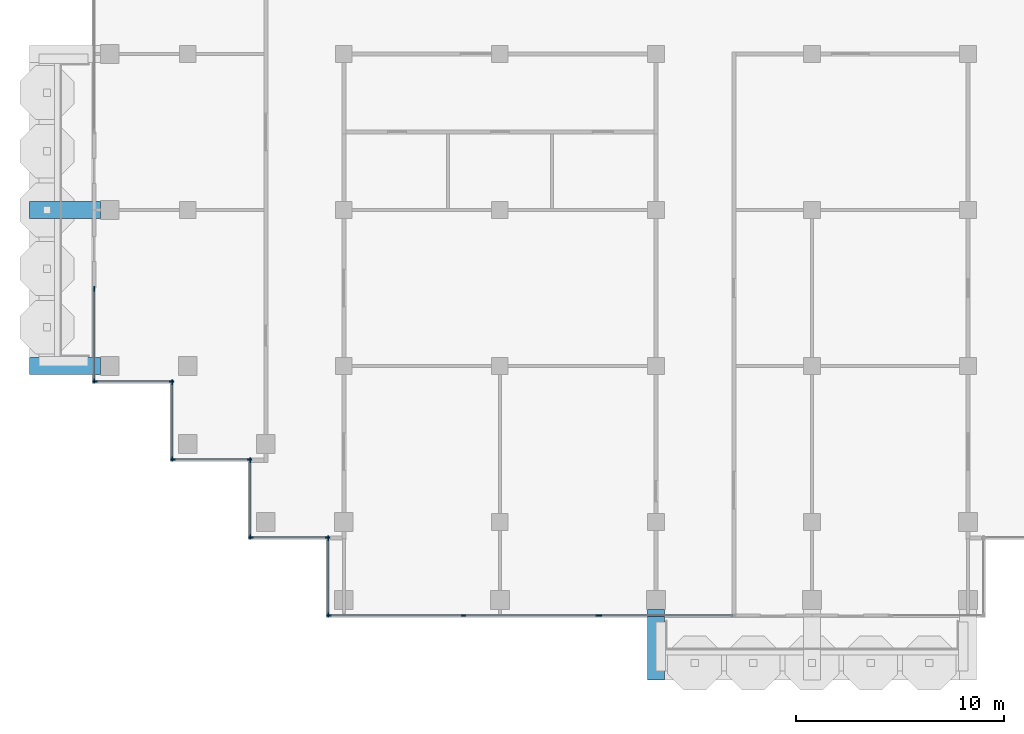
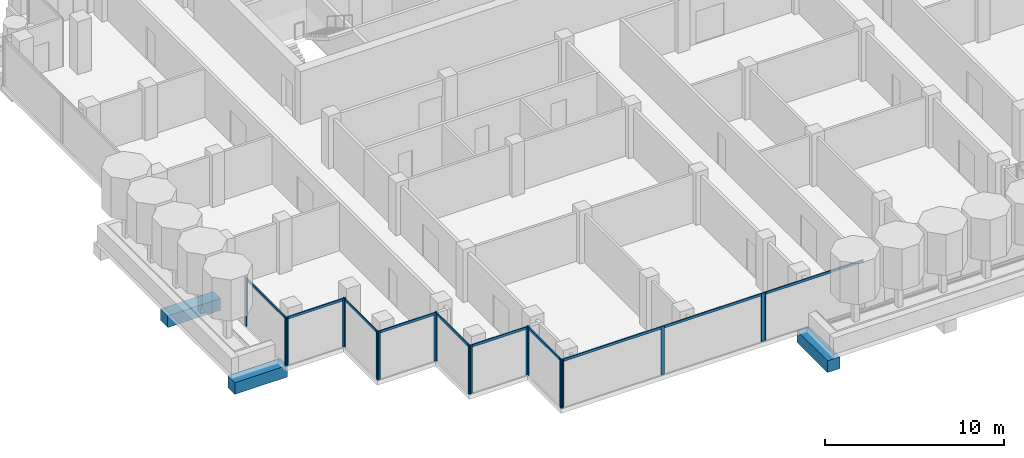
# One storey, part 2 of 18: 28 members, 3 beams, 9 elements without a shape of their own.
"""IFC4 building model written with IfcOpenShell, lengths in metres."""

import ifcopenshell
import ifcopenshell.guid

model = None  # the IFC model being written
_history = None  # IfcOwnerHistory: only IFC2X3 demands one
_inside = {}  # id of a spatial element -> (the spatial element, [elements in it])
_under = {}  # id of a project, library or spatial element -> (it, [spatial elements below it])
_declared = {}  # id of a project -> (the project, [libraries it declares])
_typed = {}  # id of a type object -> (the type object, [elements of that type])
_made_of = {}  # id of a material, layer set ... -> (it, [elements and type objects made of it])


def new_model(schema):
    """Start an empty IFC model of exactly this schema.

    Asked for "IFC4X3", IfcOpenShell would pick the latest addendum, in which some entities
    have other attributes; the version numbers below select the first issue.
    IFC2X3 requires an IfcOwnerHistory on every rooted entity: one is made here for all.
    """
    global model, _history
    if schema == "IFC4X3":
        model = ifcopenshell.file(schema_version=(4, 3, 0, 0))
    else:
        model = ifcopenshell.file(schema=schema)
    _inside.clear()
    _under.clear()
    _declared.clear()
    _typed.clear()
    _made_of.clear()
    _history = None
    if model.schema == "IFC2X3":
        org = make("IfcOrganization", Name="unknown")
        user = make(
            "IfcPersonAndOrganization",
            ThePerson=make("IfcPerson", FamilyName="unknown"),
            TheOrganization=org,
        )
        app = make(
            "IfcApplication",
            ApplicationDeveloper=org,
            Version="unknown",
            ApplicationFullName="unknown",
            ApplicationIdentifier="unknown",
        )
        _history = make(
            "IfcOwnerHistory",
            OwningUser=user,
            OwningApplication=app,
            ChangeAction="ADDED",
            CreationDate=0,
        )
    return model


def make(cls, **values):
    """One entity of the class cls with the attributes given. An attribute that is None is left unset."""
    return model.create_entity(
        cls, **{name: value for name, value in values.items() if value is not None}
    )


def rooted(cls, **values):
    """An entity with a GlobalId (a new one), such as an element, a storey or a relation."""
    return make(cls, GlobalId=ifcopenshell.guid.new(), OwnerHistory=_history, **values)


def si_unit(unit_type, name, prefix=None):
    """IfcSIUnit, for example si_unit("LENGTHUNIT", "METRE", prefix="MILLI")."""
    return make("IfcSIUnit", UnitType=unit_type, Prefix=prefix, Name=name)


def assignment(units):
    """IfcUnitAssignment: the units of a project."""
    return None if units is None else make("IfcUnitAssignment", Units=units)


def point(xyz):
    """IfcCartesianPoint."""
    return None if xyz is None else make("IfcCartesianPoint", Coordinates=xyz)


def direction(xyz):
    """IfcDirection."""
    return None if xyz is None else make("IfcDirection", DirectionRatios=xyz)


def frame(location, z_axis=None, x_axis=None):
    """IfcAxis2Placement3D, a coordinate frame: its origin and axes. An axis left out is left unset."""
    return make(
        "IfcAxis2Placement3D",
        Location=point(location),
        Axis=direction(z_axis),
        RefDirection=direction(x_axis),
    )


def frame_2d(location, x_axis=None):
    """IfcAxis2Placement2D, a coordinate frame in the plane: its origin and x axis."""
    return make(
        "IfcAxis2Placement2D", Location=point(location), RefDirection=direction(x_axis)
    )


def origin():
    """The frame at (0, 0, 0) with its axes left unset."""
    return frame((0.0, 0.0, 0.0))


def origin_2d():
    """The frame at (0, 0) in the plane with its x axis left unset."""
    return frame_2d((0.0, 0.0))


def place(relative_to, where):
    """IfcLocalPlacement: puts the frame where relative to a parent placement (None: the world)."""
    return make(
        "IfcLocalPlacement", PlacementRelTo=relative_to, RelativePlacement=where
    )


def context(
    kind, dimensions, precision=None, world=None, true_north=None, identifier=None
):
    """IfcGeometricRepresentationContext, for example the 3D "Model" context."""
    return make(
        "IfcGeometricRepresentationContext",
        ContextIdentifier=identifier,
        ContextType=kind,
        CoordinateSpaceDimension=dimensions,
        Precision=precision,
        WorldCoordinateSystem=world,
        TrueNorth=true_north,
    )


def subcontext(parent, identifier, kind, view, scale=None):
    """IfcGeometricRepresentationSubContext, for example "Body" below "Model"."""
    return make(
        "IfcGeometricRepresentationSubContext",
        ContextIdentifier=identifier,
        ContextType=kind,
        ParentContext=parent,
        TargetScale=scale,
        TargetView=view,
    )


def project(units=None, contexts=None):
    """IfcProject with its units and contexts."""
    return rooted(
        "IfcProject",
        Name="project",
        RepresentationContexts=contexts,
        UnitsInContext=assignment(units),
    )


def spatial(cls, under=None, at=None, **own):
    """A site, building, storey or space (cls), placed at a placement, below another one or the project."""
    s = rooted(cls, ObjectPlacement=at, **own)
    if under is not None:
        _under.setdefault(under.id(), (under, []))[1].append(s)
    return s


def profile(cls, at=None, kind="AREA", **sizes):
    """A parametric profile (cls). Its sizes go by their IFC names, for example OverallWidth=200.0."""
    return make(cls, ProfileType=kind, Position=at, **sizes)


def rectangle(**sizes):
    """IfcRectangleProfileDef."""
    return profile("IfcRectangleProfileDef", **sizes)


def extrude(swept, where, along, depth):
    """IfcExtrudedAreaSolid: the profile swept, set in the frame where, extruded along a direction by depth."""
    return make(
        "IfcExtrudedAreaSolid",
        SweptArea=swept,
        Position=where,
        ExtrudedDirection=direction(along),
        Depth=depth,
    )


def shape(context_of_items, identifier, shape_type, items):
    """IfcShapeRepresentation: the items that make up one representation, for example the "Body"."""
    return make(
        "IfcShapeRepresentation",
        ContextOfItems=context_of_items,
        RepresentationIdentifier=identifier,
        RepresentationType=shape_type,
        Items=items,
    )


def material(Name=None, Category=None):
    """IfcMaterial."""
    return make("IfcMaterial", Name=Name, Category=Category)


def material_profile(
    of_material, cross_section, Name=None, Category=None, Priority=None
):
    """IfcMaterialProfile: a cross section and its material."""
    return make(
        "IfcMaterialProfile",
        Name=Name,
        Material=of_material,
        Profile=cross_section,
        Priority=Priority,
        Category=Category,
    )


def profile_set(profiles, Name=None, composite=None):
    """IfcMaterialProfileSet."""
    return make(
        "IfcMaterialProfileSet",
        Name=Name,
        MaterialProfiles=profiles,
        CompositeProfile=composite,
    )


def made_of(thing, what):
    """Note that an element or type object is made of a material, layer set ...; save() writes the relation."""
    if what is not None:
        _made_of.setdefault(what.id(), (what, []))[1].append(thing)
    return thing


def type_object(cls, material=None, **own):
    """A type object (cls), such as IfcWallType, which elements share."""
    return made_of(rooted(cls, **own), material)


def element(
    cls,
    number,
    at=None,
    inside=None,
    cuts=None,
    type_object=None,
    material=None,
    context=None,
    identifier="Body",
    shape_type=None,
    held_by="IfcProductDefinitionShape",
    body=None,
    shapes=None,
    **own,
):
    """One element of the class cls, such as IfcWall. Its Tag is "e" and its number.

    at: its placement. inside: the storey or other place that contains it. cuts: it is an
    opening in that element (IfcRelVoidsElement). A single representation is given by context,
    identifier, shape_type and body (its items); several are given by shapes. held_by: the class
    of the entity that holds the representations. save() writes the other relations.
    """
    e = rooted(cls, Tag="e%d" % number, ObjectPlacement=at, **own)
    if body is not None:
        shapes = [shape(context, identifier, shape_type, body)]
    if shapes is not None:
        e.Representation = make(held_by, Representations=shapes)
    if inside is not None:
        _inside.setdefault(inside.id(), (inside, []))[1].append(e)
    if cuts is not None:
        rooted(
            "IfcRelVoidsElement", RelatingBuildingElement=cuts, RelatedOpeningElement=e
        )
    if type_object is not None:
        _typed.setdefault(type_object.id(), (type_object, []))[1].append(e)
    return made_of(e, material)


def aggregate(whole, parts):
    """IfcRelAggregates: a whole, such as a stair, and the parts it consists of."""
    return rooted("IfcRelAggregates", RelatingObject=whole, RelatedObjects=parts)


def save(model, path):
    """Write the relations noted so far, then the file.

    IfcRelAggregates (storeys below a building ...), IfcRelContainedInSpatialStructure (elements
    in a storey), IfcRelDefinesByType, IfcRelAssociatesMaterial and IfcRelDeclares: one each for
    every whole, place, type object, material and project.
    """
    for whole, parts in _under.values():
        aggregate(whole, parts)
    for where, things in _inside.values():
        rooted(
            "IfcRelContainedInSpatialStructure",
            RelatedElements=things,
            RelatingStructure=where,
        )
    for kind, things in _typed.values():
        rooted("IfcRelDefinesByType", RelatedObjects=things, RelatingType=kind)
    for what, things in _made_of.values():
        rooted("IfcRelAssociatesMaterial", RelatedObjects=things, RelatingMaterial=what)
    for by, libraries in _declared.values():
        rooted("IfcRelDeclares", RelatingContext=by, RelatedDefinitions=libraries)
    model.write(path)


model = new_model("IFC4")

# Units and contexts
model_context = context("Model", 3, precision=1e-05, world=origin(), true_north=direction((0.0, 1.0)))
body_context = subcontext(model_context, "Body", "Model", "MODEL_VIEW")
ifc_project = project(units=[si_unit("LENGTHUNIT", "METRE"), si_unit("AREAUNIT", "SQUARE_METRE"), si_unit("VOLUMEUNIT", "CUBIC_METRE"), si_unit("PLANEANGLEUNIT", "RADIAN"), si_unit("MASSUNIT", "GRAM", prefix="KILO")], contexts=[model_context])

# Site, building, storey
site_placement = place(None, origin())
site = spatial("IfcSite", under=ifc_project, at=site_placement, CompositionType="ELEMENT")
building_placement = place(site_placement, origin())
building = spatial("IfcBuilding", under=site, at=building_placement, Name="Pilkhan Gate Tower", CompositionType="ELEMENT")
storey_placement = place(building_placement, frame((0.0, 0.0, 231.89990234375)))
storey = spatial("IfcBuildingStorey", under=building, at=storey_placement, Name="L60", CompositionType="ELEMENT", Elevation=231.89990234375)

# Beams
ifc_material_1 = material(Name="Concrete C50/60", Category="concrete")
ifc_material_profile_1 = material_profile(ifc_material_1, rectangle(XDim=0.800048828125, YDim=0.800048828125, at=origin_2d()), Name="RC 800x800")
ifc_profile_set_1 = profile_set([ifc_material_profile_1], Name="Concrete C50/60")
beam_type = type_object("IfcBeamType", Name="Cantilever beam CB2 RC 800x800 C50/60", PredefinedType="BEAM", material=ifc_profile_set_1)
for number, where, z_axis, x_axis, name in (
    (1, (75.0, 40.800048828125, -0.699951171875), (0.0, -1.0, 0.0), (1.0, 0.0, 0.0), "Balcony beam S.1 L60"),
    (2, (48.300048828125, 52.5, -0.699951171875), (-1.0, 0.0, 0.0), (0.0, -1.0, 0.0), "Balcony beam W.1 L60"),
    (3, (48.300048828125, 60.0, -0.699951171875), (-1.0, 0.0, 0.0), (0.0, -1.0, 0.0), "Balcony beam W.2 L60"),
):
    element("IfcBeam", number, at=place(storey_placement, frame(where, z_axis=z_axis, x_axis=x_axis)), inside=storey, type_object=beam_type, Name=name, PredefinedType="BEAM", context=body_context, shape_type="SweptSolid", body=[
        extrude(rectangle(XDim=0.800048828125, YDim=0.800048828125, at=origin_2d()), origin(), (0.0, 0.0, 1.0), 3.400146484375),
    ])

# Curtain wall, members
ifc_material_2 = material(Name="Pale anodised aluminium, clear low-iron double glazing", Category="aluminium")
curtain_wall_type = type_object("IfcCurtainWallType", Name="Office unitised curtain wall CW-O2", PredefinedType="USERDEFINED", material=ifc_material_2)
curtain_wall_1_placement = place(storey_placement, origin())
curtain_wall_1 = element("IfcCurtainWall", 4, at=curtain_wall_1_placement, inside=storey, type_object=curtain_wall_type, Name="Office unitised curtain wall CW-O2 L60 W", ObjectType="UNITISED CURTAIN WALL", PredefinedType="USERDEFINED")
ifc_material_3 = material(Name="Pale anodised aluminium", Category="aluminium")
ifc_material_profile_2 = material_profile(ifc_material_3, rectangle(XDim=0.06494140625, YDim=0.22509765625, at=origin_2d()), Name="Mullion 225x65")
ifc_profile_set_2 = profile_set([ifc_material_profile_2], Name="Pale anodised aluminium")
member_type_1 = type_object("IfcMemberType", Name="Mullion CW-O2 225x65", PredefinedType="MULLION", material=ifc_profile_set_2)
member_1_placement = place(storey_placement, frame((48.0, 51.782470703125, 0.0), z_axis=(0.0, 0.0, 1.0), x_axis=(-1.0, 0.0, 0.0)))
member_1 = element("IfcMember", 5, at=member_1_placement, type_object=member_type_1, Name="CW-O2 mullion 1", PredefinedType="MULLION", context=body_context, shape_type="SweptSolid", body=[
    extrude(rectangle(XDim=0.06494140625, YDim=0.22509765625, at=origin_2d()), origin(), (0.0, 0.0, 1.0), 3.300048828125),
])
member_2_placement = place(storey_placement, frame((48.0, 56.217529296875, 0.0), z_axis=(0.0, 0.0, 1.0), x_axis=(-1.0, 0.0, 0.0)))
member_2 = element("IfcMember", 6, at=member_2_placement, type_object=member_type_1, Name="CW-O2 mullion 2", PredefinedType="MULLION", context=body_context, shape_type="SweptSolid", body=[
    extrude(rectangle(XDim=0.06494140625, YDim=0.22509765625, at=origin_2d()), origin(), (0.0, 0.0, 1.0), 3.300048828125),
])

curtain_wall_2_placement = place(storey_placement, origin())
curtain_wall_2 = element("IfcCurtainWall", 7, at=curtain_wall_2_placement, inside=storey, type_object=curtain_wall_type, Name="Office unitised curtain wall CW-O2 L60 S", ObjectType="UNITISED CURTAIN WALL", PredefinedType="USERDEFINED")
member_3_placement = place(storey_placement, frame((48.032470703125, 51.75, 0.0), z_axis=(0.0, 0.0, 1.0), x_axis=(0.0, 1.0, 0.0)))
member_3 = element("IfcMember", 8, at=member_3_placement, type_object=member_type_1, Name="CW-O2 mullion 1", PredefinedType="MULLION", context=body_context, shape_type="SweptSolid", body=[
    extrude(rectangle(XDim=0.06494140625, YDim=0.22509765625, at=origin_2d()), origin(), (0.0, 0.0, 1.0), 3.300048828125),
])
member_4_placement = place(storey_placement, frame((51.717529296875, 51.75, 0.0), z_axis=(0.0, 0.0, 1.0), x_axis=(0.0, 1.0, 0.0)))
member_4 = element("IfcMember", 9, at=member_4_placement, type_object=member_type_1, Name="CW-O2 mullion 2", PredefinedType="MULLION", context=body_context, shape_type="SweptSolid", body=[
    extrude(rectangle(XDim=0.06494140625, YDim=0.22509765625, at=origin_2d()), origin(), (0.0, 0.0, 1.0), 3.300048828125),
])

curtain_wall_3_placement = place(storey_placement, origin())
curtain_wall_3 = element("IfcCurtainWall", 10, at=curtain_wall_3_placement, inside=storey, type_object=curtain_wall_type, Name="Office unitised curtain wall CW-O2 L60 W", ObjectType="UNITISED CURTAIN WALL", PredefinedType="USERDEFINED")
member_5_placement = place(storey_placement, frame((51.75, 48.032470703125, 0.0), z_axis=(0.0, 0.0, 1.0), x_axis=(-1.0, 0.0, 0.0)))
member_5 = element("IfcMember", 11, at=member_5_placement, type_object=member_type_1, Name="CW-O2 mullion 1", PredefinedType="MULLION", context=body_context, shape_type="SweptSolid", body=[
    extrude(rectangle(XDim=0.06494140625, YDim=0.22509765625, at=origin_2d()), origin(), (0.0, 0.0, 1.0), 3.300048828125),
])
member_6_placement = place(storey_placement, frame((51.75, 51.717529296875, 0.0), z_axis=(0.0, 0.0, 1.0), x_axis=(-1.0, 0.0, 0.0)))
member_6 = element("IfcMember", 12, at=member_6_placement, type_object=member_type_1, Name="CW-O2 mullion 2", PredefinedType="MULLION", context=body_context, shape_type="SweptSolid", body=[
    extrude(rectangle(XDim=0.06494140625, YDim=0.22509765625, at=origin_2d()), origin(), (0.0, 0.0, 1.0), 3.300048828125),
])

curtain_wall_4_placement = place(storey_placement, origin())
curtain_wall_4 = element("IfcCurtainWall", 13, at=curtain_wall_4_placement, inside=storey, type_object=curtain_wall_type, Name="Office unitised curtain wall CW-O2 L60 S", ObjectType="UNITISED CURTAIN WALL", PredefinedType="USERDEFINED")
member_7_placement = place(storey_placement, frame((51.782470703125, 48.0, 0.0), z_axis=(0.0, 0.0, 1.0), x_axis=(0.0, 1.0, 0.0)))
member_7 = element("IfcMember", 14, at=member_7_placement, type_object=member_type_1, Name="CW-O2 mullion 1", PredefinedType="MULLION", context=body_context, shape_type="SweptSolid", body=[
    extrude(rectangle(XDim=0.06494140625, YDim=0.22509765625, at=origin_2d()), origin(), (0.0, 0.0, 1.0), 3.300048828125),
])
member_8_placement = place(storey_placement, frame((55.467529296875, 48.0, 0.0), z_axis=(0.0, 0.0, 1.0), x_axis=(0.0, 1.0, 0.0)))
member_8 = element("IfcMember", 15, at=member_8_placement, type_object=member_type_1, Name="CW-O2 mullion 2", PredefinedType="MULLION", context=body_context, shape_type="SweptSolid", body=[
    extrude(rectangle(XDim=0.06494140625, YDim=0.22509765625, at=origin_2d()), origin(), (0.0, 0.0, 1.0), 3.300048828125),
])

curtain_wall_5_placement = place(storey_placement, origin())
curtain_wall_5 = element("IfcCurtainWall", 16, at=curtain_wall_5_placement, inside=storey, type_object=curtain_wall_type, Name="Office unitised curtain wall CW-O2 L60 W", ObjectType="UNITISED CURTAIN WALL", PredefinedType="USERDEFINED")
member_9_placement = place(storey_placement, frame((55.5, 44.282470703125, 0.0), z_axis=(0.0, 0.0, 1.0), x_axis=(-1.0, 0.0, 0.0)))
member_9 = element("IfcMember", 17, at=member_9_placement, type_object=member_type_1, Name="CW-O2 mullion 1", PredefinedType="MULLION", context=body_context, shape_type="SweptSolid", body=[
    extrude(rectangle(XDim=0.06494140625, YDim=0.22509765625, at=origin_2d()), origin(), (0.0, 0.0, 1.0), 3.300048828125),
])
member_10_placement = place(storey_placement, frame((55.5, 47.967529296875, 0.0), z_axis=(0.0, 0.0, 1.0), x_axis=(-1.0, 0.0, 0.0)))
member_10 = element("IfcMember", 18, at=member_10_placement, type_object=member_type_1, Name="CW-O2 mullion 2", PredefinedType="MULLION", context=body_context, shape_type="SweptSolid", body=[
    extrude(rectangle(XDim=0.06494140625, YDim=0.22509765625, at=origin_2d()), origin(), (0.0, 0.0, 1.0), 3.300048828125),
])

curtain_wall_6_placement = place(storey_placement, origin())
curtain_wall_6 = element("IfcCurtainWall", 19, at=curtain_wall_6_placement, inside=storey, type_object=curtain_wall_type, Name="Office unitised curtain wall CW-O2 L60 S", ObjectType="UNITISED CURTAIN WALL", PredefinedType="USERDEFINED")
member_11_placement = place(storey_placement, frame((55.532470703125, 44.25, 0.0), z_axis=(0.0, 0.0, 1.0), x_axis=(0.0, 1.0, 0.0)))
member_11 = element("IfcMember", 20, at=member_11_placement, type_object=member_type_1, Name="CW-O2 mullion 1", PredefinedType="MULLION", context=body_context, shape_type="SweptSolid", body=[
    extrude(rectangle(XDim=0.06494140625, YDim=0.22509765625, at=origin_2d()), origin(), (0.0, 0.0, 1.0), 3.300048828125),
])
member_12_placement = place(storey_placement, frame((59.217529296875, 44.25, 0.0), z_axis=(0.0, 0.0, 1.0), x_axis=(0.0, 1.0, 0.0)))
member_12 = element("IfcMember", 21, at=member_12_placement, type_object=member_type_1, Name="CW-O2 mullion 2", PredefinedType="MULLION", context=body_context, shape_type="SweptSolid", body=[
    extrude(rectangle(XDim=0.06494140625, YDim=0.22509765625, at=origin_2d()), origin(), (0.0, 0.0, 1.0), 3.300048828125),
])

curtain_wall_7_placement = place(storey_placement, origin())
curtain_wall_7 = element("IfcCurtainWall", 22, at=curtain_wall_7_placement, inside=storey, type_object=curtain_wall_type, Name="Office unitised curtain wall CW-O2 L60 W", ObjectType="UNITISED CURTAIN WALL", PredefinedType="USERDEFINED")
member_13_placement = place(storey_placement, frame((59.25, 40.532470703125, 0.0), z_axis=(0.0, 0.0, 1.0), x_axis=(-1.0, 0.0, 0.0)))
member_13 = element("IfcMember", 23, at=member_13_placement, type_object=member_type_1, Name="CW-O2 mullion 1", PredefinedType="MULLION", context=body_context, shape_type="SweptSolid", body=[
    extrude(rectangle(XDim=0.06494140625, YDim=0.22509765625, at=origin_2d()), origin(), (0.0, 0.0, 1.0), 3.300048828125),
])
member_14_placement = place(storey_placement, frame((59.25, 44.217529296875, 0.0), z_axis=(0.0, 0.0, 1.0), x_axis=(-1.0, 0.0, 0.0)))
member_14 = element("IfcMember", 24, at=member_14_placement, type_object=member_type_1, Name="CW-O2 mullion 2", PredefinedType="MULLION", context=body_context, shape_type="SweptSolid", body=[
    extrude(rectangle(XDim=0.06494140625, YDim=0.22509765625, at=origin_2d()), origin(), (0.0, 0.0, 1.0), 3.300048828125),
])

curtain_wall_8_placement = place(storey_placement, origin())
curtain_wall_8 = element("IfcCurtainWall", 25, at=curtain_wall_8_placement, inside=storey, type_object=curtain_wall_type, Name="Office unitised curtain wall CW-O2 L60 S", ObjectType="UNITISED CURTAIN WALL", PredefinedType="USERDEFINED")
member_15_placement = place(storey_placement, frame((59.282470703125, 40.5, 0.0), z_axis=(0.0, 0.0, 1.0), x_axis=(0.0, 1.0, 0.0)))
member_15 = element("IfcMember", 26, at=member_15_placement, type_object=member_type_1, Name="CW-O2 mullion 1", PredefinedType="MULLION", context=body_context, shape_type="SweptSolid", body=[
    extrude(rectangle(XDim=0.06494140625, YDim=0.22509765625, at=origin_2d()), origin(), (0.0, 0.0, 1.0), 3.300048828125),
])
member_16_placement = place(storey_placement, frame((65.75, 40.5, 0.0), z_axis=(0.0, 0.0, 1.0), x_axis=(0.0, 1.0, 0.0)))
member_16 = element("IfcMember", 27, at=member_16_placement, type_object=member_type_1, Name="CW-O2 mullion 2", PredefinedType="MULLION", context=body_context, shape_type="SweptSolid", body=[
    extrude(rectangle(XDim=0.06494140625, YDim=0.22509765625, at=origin_2d()), origin(), (0.0, 0.0, 1.0), 3.300048828125),
])
member_17_placement = place(storey_placement, frame((72.217529296875, 40.5, 0.0), z_axis=(0.0, 0.0, 1.0), x_axis=(0.0, 1.0, 0.0)))
member_17 = element("IfcMember", 28, at=member_17_placement, type_object=member_type_1, Name="CW-O2 mullion 3", PredefinedType="MULLION", context=body_context, shape_type="SweptSolid", body=[
    extrude(rectangle(XDim=0.06494140625, YDim=0.22509765625, at=origin_2d()), origin(), (0.0, 0.0, 1.0), 3.300048828125),
])

# Curtain wall, member
curtain_wall_9_placement = place(storey_placement, origin())
curtain_wall_9 = element("IfcCurtainWall", 29, at=curtain_wall_9_placement, inside=storey, type_object=curtain_wall_type, Name="Office unitised curtain wall CW-O2 L60 S", ObjectType="UNITISED CURTAIN WALL", PredefinedType="USERDEFINED")
member_18_placement = place(storey_placement, frame((72.282470703125, 40.5, 0.0), z_axis=(0.0, 0.0, 1.0), x_axis=(0.0, 1.0, 0.0)))
member_18 = element("IfcMember", 30, at=member_18_placement, type_object=member_type_1, Name="CW-O2 mullion 1", PredefinedType="MULLION", context=body_context, shape_type="SweptSolid", body=[
    extrude(rectangle(XDim=0.06494140625, YDim=0.22509765625, at=origin_2d()), origin(), (0.0, 0.0, 1.0), 3.300048828125),
])

# Member
ifc_material_profile_3 = material_profile(ifc_material_3, rectangle(XDim=0.06494140625, YDim=0.1650390625, at=origin_2d()), Name="Transom 165x65")
ifc_profile_set_3 = profile_set([ifc_material_profile_3], Name="Pale anodised aluminium")
member_type_2 = type_object("IfcMemberType", Name="Transom CW-O2 165x65", PredefinedType="USERDEFINED", material=ifc_profile_set_3)
member_19_placement = place(storey_placement, frame((48.0, 51.81494140625, 3.217529296875), z_axis=(0.0, 1.0, 0.0), x_axis=(-1.0, 0.0, 0.0)))
member_19 = element("IfcMember", 31, at=member_19_placement, type_object=member_type_2, Name="CW-O2 transom 1", ObjectType="TRANSOM", PredefinedType="USERDEFINED", context=body_context, shape_type="SweptSolid", body=[
    extrude(rectangle(XDim=0.06494140625, YDim=0.1650390625, at=origin_2d()), origin(), (0.0, 0.0, 1.0), 4.3701171875),
])

aggregate(curtain_wall_1, [member_1, member_2, member_19])

member_20_placement = place(storey_placement, frame((48.06494140625, 51.75, 3.217529296875), z_axis=(1.0, 0.0, 0.0), x_axis=(0.0, 1.0, 0.0)))
member_20 = element("IfcMember", 32, at=member_20_placement, type_object=member_type_2, Name="CW-O2 transom 1", ObjectType="TRANSOM", PredefinedType="USERDEFINED", context=body_context, shape_type="SweptSolid", body=[
    extrude(rectangle(XDim=0.06494140625, YDim=0.1650390625, at=origin_2d()), origin(), (0.0, 0.0, 1.0), 3.6201171875),
])

aggregate(curtain_wall_2, [member_3, member_4, member_20])

member_21_placement = place(storey_placement, frame((51.75, 48.06494140625, 3.217529296875), z_axis=(0.0, 1.0, 0.0), x_axis=(-1.0, 0.0, 0.0)))
member_21 = element("IfcMember", 33, at=member_21_placement, type_object=member_type_2, Name="CW-O2 transom 1", ObjectType="TRANSOM", PredefinedType="USERDEFINED", context=body_context, shape_type="SweptSolid", body=[
    extrude(rectangle(XDim=0.06494140625, YDim=0.1650390625, at=origin_2d()), origin(), (0.0, 0.0, 1.0), 3.6201171875),
])

aggregate(curtain_wall_3, [member_5, member_6, member_21])

member_22_placement = place(storey_placement, frame((51.81494140625, 48.0, 3.217529296875), z_axis=(1.0, 0.0, 0.0), x_axis=(0.0, 1.0, 0.0)))
member_22 = element("IfcMember", 34, at=member_22_placement, type_object=member_type_2, Name="CW-O2 transom 1", ObjectType="TRANSOM", PredefinedType="USERDEFINED", context=body_context, shape_type="SweptSolid", body=[
    extrude(rectangle(XDim=0.06494140625, YDim=0.1650390625, at=origin_2d()), origin(), (0.0, 0.0, 1.0), 3.6201171875),
])

aggregate(curtain_wall_4, [member_7, member_8, member_22])

member_23_placement = place(storey_placement, frame((55.5, 44.31494140625, 3.217529296875), z_axis=(0.0, 1.0, 0.0), x_axis=(-1.0, 0.0, 0.0)))
member_23 = element("IfcMember", 35, at=member_23_placement, type_object=member_type_2, Name="CW-O2 transom 1", ObjectType="TRANSOM", PredefinedType="USERDEFINED", context=body_context, shape_type="SweptSolid", body=[
    extrude(rectangle(XDim=0.06494140625, YDim=0.1650390625, at=origin_2d()), origin(), (0.0, 0.0, 1.0), 3.6201171875),
])

aggregate(curtain_wall_5, [member_9, member_10, member_23])

member_24_placement = place(storey_placement, frame((55.56494140625, 44.25, 3.217529296875), z_axis=(1.0, 0.0, 0.0), x_axis=(0.0, 1.0, 0.0)))
member_24 = element("IfcMember", 36, at=member_24_placement, type_object=member_type_2, Name="CW-O2 transom 1", ObjectType="TRANSOM", PredefinedType="USERDEFINED", context=body_context, shape_type="SweptSolid", body=[
    extrude(rectangle(XDim=0.06494140625, YDim=0.1650390625, at=origin_2d()), origin(), (0.0, 0.0, 1.0), 3.6201171875),
])

aggregate(curtain_wall_6, [member_11, member_12, member_24])

member_25_placement = place(storey_placement, frame((59.25, 40.56494140625, 3.217529296875), z_axis=(0.0, 1.0, 0.0), x_axis=(-1.0, 0.0, 0.0)))
member_25 = element("IfcMember", 37, at=member_25_placement, type_object=member_type_2, Name="CW-O2 transom 1", ObjectType="TRANSOM", PredefinedType="USERDEFINED", context=body_context, shape_type="SweptSolid", body=[
    extrude(rectangle(XDim=0.06494140625, YDim=0.1650390625, at=origin_2d()), origin(), (0.0, 0.0, 1.0), 3.6201171875),
])

aggregate(curtain_wall_7, [member_13, member_14, member_25])

member_26_placement = place(storey_placement, frame((59.31494140625, 40.5, 3.217529296875), z_axis=(1.0, 0.0, 0.0), x_axis=(0.0, 1.0, 0.0)))
member_26 = element("IfcMember", 38, at=member_26_placement, type_object=member_type_2, Name="CW-O2 transom 1", ObjectType="TRANSOM", PredefinedType="USERDEFINED", context=body_context, shape_type="SweptSolid", body=[
    extrude(rectangle(XDim=0.06494140625, YDim=0.1650390625, at=origin_2d()), origin(), (0.0, 0.0, 1.0), 6.402587890625),
])

member_27_placement = place(storey_placement, frame((65.782470703125, 40.5, 3.217529296875), z_axis=(1.0, 0.0, 0.0), x_axis=(0.0, 1.0, 0.0)))
member_27 = element("IfcMember", 39, at=member_27_placement, type_object=member_type_2, Name="CW-O2 transom 2", ObjectType="TRANSOM", PredefinedType="USERDEFINED", context=body_context, shape_type="SweptSolid", body=[
    extrude(rectangle(XDim=0.06494140625, YDim=0.1650390625, at=origin_2d()), origin(), (0.0, 0.0, 1.0), 6.402587890625),
])

aggregate(curtain_wall_8, [member_15, member_16, member_17, member_26, member_27])

member_28_placement = place(storey_placement, frame((72.31494140625, 40.5, 3.217529296875), z_axis=(1.0, 0.0, 0.0), x_axis=(0.0, 1.0, 0.0)))
member_28 = element("IfcMember", 40, at=member_28_placement, type_object=member_type_2, Name="CW-O2 transom 1", ObjectType="TRANSOM", PredefinedType="USERDEFINED", context=body_context, shape_type="SweptSolid", body=[
    extrude(rectangle(XDim=0.06494140625, YDim=0.1650390625, at=origin_2d()), origin(), (0.0, 0.0, 1.0), 6.3701171875),
])

aggregate(curtain_wall_9, [member_18, member_28])

save(model, "model.ifc")
